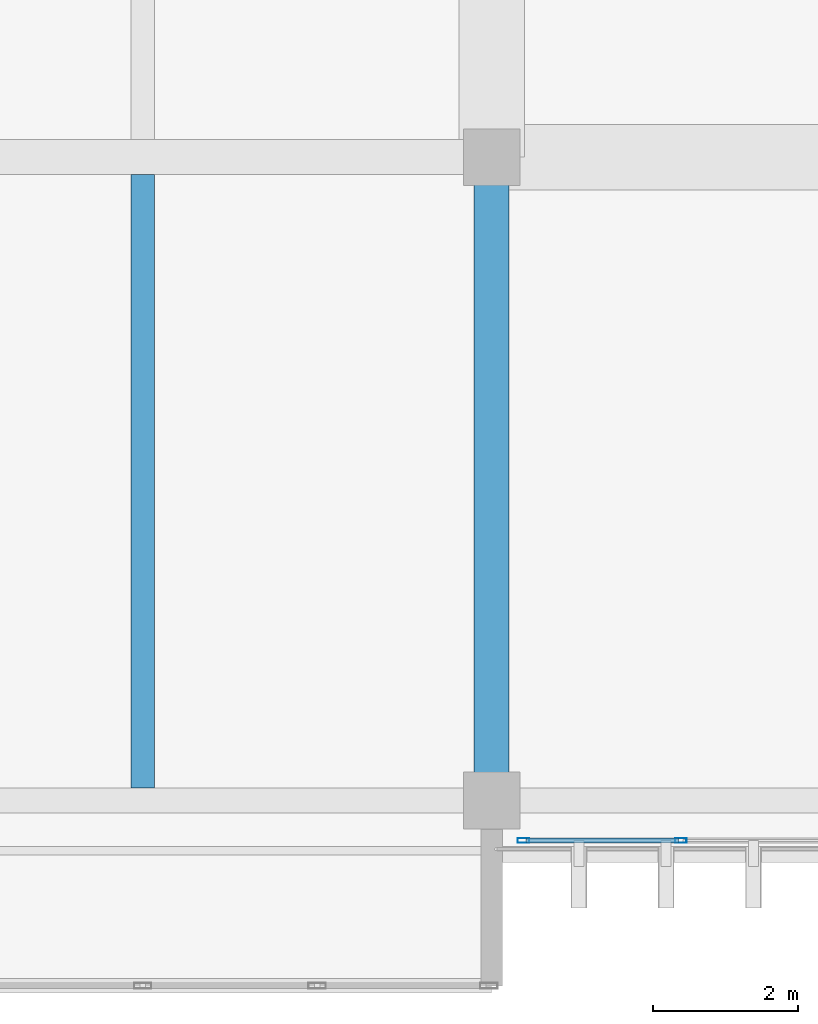
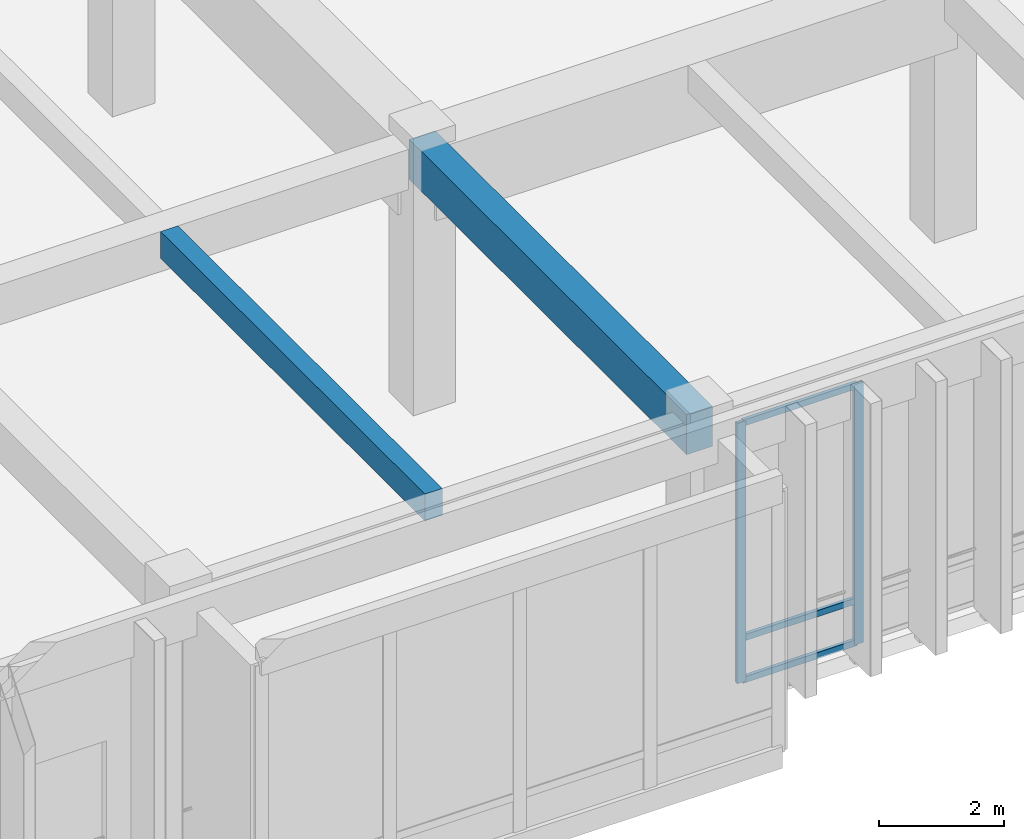
# One storey, part 13 of 134: 5 members, 2 beams, 1 element without a shape of its own.
"""IFC4 building model written with IfcOpenShell, lengths in metres."""

from ifc_helpers import new_model, si_unit, direction, frame, origin, origin_2d, place, context, subcontext, project, spatial, rectangle, hollow_rectangle, extrude, material, layer, layer_set, material_profile, profile_set, type_object, element, aggregate, save


model = new_model("IFC4")

# Units and contexts
model_context = context("Model", 3, precision=1e-05, world=origin(), true_north=direction((0.0, 1.0)))
body_context = subcontext(model_context, "Body", "Model", "MODEL_VIEW")
ifc_project = project(units=[si_unit("LENGTHUNIT", "METRE"), si_unit("AREAUNIT", "SQUARE_METRE"), si_unit("VOLUMEUNIT", "CUBIC_METRE"), si_unit("PLANEANGLEUNIT", "RADIAN"), si_unit("MASSUNIT", "GRAM", prefix="KILO")], contexts=[model_context])

# Site, building, storey
site_placement = place(None, origin())
site = spatial("IfcSite", under=ifc_project, at=site_placement, CompositionType="ELEMENT")
building_placement = place(site_placement, origin())
building = spatial("IfcBuilding", under=site, at=building_placement, Name="Nakhvara Creek Congress Hotel", CompositionType="ELEMENT")
storey_placement = place(building_placement, frame((0.0, 0.0, 6.0)))
storey = spatial("IfcBuildingStorey", under=building, at=storey_placement, Name="L01", CompositionType="ELEMENT", Elevation=6.0)

# Beams
ifc_material_1 = material(Name="Concrete C40/50", Category="concrete")
ifc_material_profile_1 = material_profile(ifc_material_1, rectangle(XDim=0.320068359375, YDim=0.52001953125, at=origin_2d()), Name="RC-BM 320x520", Category="LoadBearing")
ifc_profile_set_1 = profile_set([ifc_material_profile_1], Name="Concrete C40/50")
beam_type_1 = type_object("IfcBeamType", Name="BM-RC-320X520", PredefinedType="JOIST", material=ifc_profile_set_1)
beam_1_placement = place(storey_placement, frame((72.0, 0.925048828125, 4.840087890625), z_axis=(0.0, 1.0, 0.0), x_axis=(-1.0, 0.0, 0.0)))
element("IfcBeam", 1, at=beam_1_placement, inside=storey, type_object=beam_type_1, Name="Secondary Joist BJ2-L01-1362", PredefinedType="JOIST", context=body_context, shape_type="SweptSolid", body=[
    extrude(rectangle(XDim=0.320068359375, YDim=0.52001953125, at=origin_2d()), origin(), (0.0, 0.0, 1.0), 8.43505859375),
])
ifc_material_profile_2 = material_profile(ifc_material_1, rectangle(XDim=0.47998046875, YDim=0.780029296875, at=origin_2d()), Name="RC-BM 480x780", Category="LoadBearing")
ifc_profile_set_2 = profile_set([ifc_material_profile_2], Name="Concrete C40/50")
beam_type_2 = type_object("IfcBeamType", Name="BM-RC-480X780", PredefinedType="BEAM", material=ifc_profile_set_2)
beam_2_placement = place(storey_placement, frame((76.800048828125, 0.75, 4.7099609375), z_axis=(0.0, 1.0, 0.0), x_axis=(-1.0, 0.0, 0.0)))
element("IfcBeam", 2, at=beam_2_placement, inside=storey, type_object=beam_type_2, Name="Beam B13-L01-1145", PredefinedType="BEAM", context=body_context, shape_type="SweptSolid", body=[
    extrude(rectangle(XDim=0.47998046875, YDim=0.780029296875, at=origin_2d()), origin(), (0.0, 0.0, 1.0), 8.85009765625),
])

# Curtain wall, members
ifc_material_2 = material(Name="Bronze-anodised aluminium AW-6063-T6 and double-silver low-E glass", Category="aluminium")
ifc_layer = layer(ifc_material_2, 0.199951171875)
ifc_layer_set = layer_set([ifc_layer], Name="Bronze-anodised aluminium AW-6063-T6 and double-silver low-E glass")
curtain_wall_type = type_object("IfcCurtainWallType", Name="CW-SPA-STICK", PredefinedType="NOTDEFINED", material=ifc_layer_set)
curtain_wall_placement = place(storey_placement, origin())
curtain_wall = element("IfcCurtainWall", 3, at=curtain_wall_placement, inside=storey, type_object=curtain_wall_type, Name="Curtain Wall CW077", PredefinedType="NOTDEFINED")
ifc_material_3 = material(Name="Bronze-anodised aluminium AW-6063-T6", Category="aluminium")
ifc_material_profile_3 = material_profile(ifc_material_3, hollow_rectangle(XDim=0.06494140625, YDim=0.159912109375, WallThickness=0.00390625, at=origin_2d()), Name="ALU-MULL 65x160x4", Category="LoadBearing")
ifc_profile_set_3 = profile_set([ifc_material_profile_3], Name="Bronze-anodised aluminium AW-6063-T6")
member_type_1 = type_object("IfcMemberType", Name="CW-MULL-160", PredefinedType="MULLION", material=ifc_profile_set_3)
member_1_placement = place(storey_placement, frame((79.402587890625, 0.199951171875, 0.0), z_axis=(0.0, 0.0, 1.0), x_axis=(0.0, -1.0, 0.0)))
member_1 = element("IfcMember", 4, at=member_1_placement, type_object=member_type_1, Name="CW077 mullion 4", PredefinedType="MULLION", context=body_context, shape_type="SweptSolid", body=[
    extrude(hollow_rectangle(XDim=0.06494140625, YDim=0.159912109375, WallThickness=0.00390625, at=origin_2d()), origin(), (0.0, 0.0, 1.0), 5.070068359375),
])
member_2_placement = place(storey_placement, frame((77.237548828125, 0.199951171875, 0.0), z_axis=(0.0, 0.0, 1.0), x_axis=(0.0, -1.0, 0.0)))
member_2 = element("IfcMember", 5, at=member_2_placement, type_object=member_type_1, Name="CW077 mullion 5", PredefinedType="MULLION", context=body_context, shape_type="SweptSolid", body=[
    extrude(hollow_rectangle(XDim=0.06494140625, YDim=0.159912109375, WallThickness=0.00390625, at=origin_2d()), origin(), (0.0, 0.0, 1.0), 5.070068359375),
])
ifc_material_profile_4 = material_profile(ifc_material_3, hollow_rectangle(XDim=0.06494140625, YDim=0.1201171875, WallThickness=0.00390625, at=origin_2d()), Name="ALU-TRAN 65x120x4", Category="LoadBearing")
ifc_profile_set_4 = profile_set([ifc_material_profile_4], Name="Bronze-anodised aluminium AW-6063-T6")
member_type_2 = type_object("IfcMemberType", Name="CW-TRAN-120", PredefinedType="USERDEFINED", material=ifc_profile_set_4)
member_3_placement = place(storey_placement, frame((79.3701171875, 0.199951171875, 0.032470703125), z_axis=(-1.0, 0.0, 0.0), x_axis=(0.0, -1.0, 0.0)))
member_3 = element("IfcMember", 6, at=member_3_placement, type_object=member_type_2, Name="CW077 transom 4.1", ObjectType="TRANSOM", PredefinedType="USERDEFINED", context=body_context, shape_type="SweptSolid", body=[
    extrude(hollow_rectangle(XDim=0.06494140625, YDim=0.1201171875, WallThickness=0.00390625, at=origin_2d()), origin(), (0.0, 0.0, 1.0), 2.10009765625),
])
member_4_placement = place(storey_placement, frame((79.3701171875, 0.199951171875, 0.85009765625), z_axis=(-1.0, 0.0, 0.0), x_axis=(0.0, -1.0, 0.0)))
member_4 = element("IfcMember", 7, at=member_4_placement, type_object=member_type_2, Name="CW077 transom 4.2", ObjectType="TRANSOM", PredefinedType="USERDEFINED", context=body_context, shape_type="SweptSolid", body=[
    extrude(hollow_rectangle(XDim=0.06494140625, YDim=0.1201171875, WallThickness=0.00390625, at=origin_2d()), origin(), (0.0, 0.0, 1.0), 2.10009765625),
])
member_5_placement = place(storey_placement, frame((79.3701171875, 0.199951171875, 5.03759765625), z_axis=(-1.0, 0.0, 0.0), x_axis=(0.0, -1.0, 0.0)))
member_5 = element("IfcMember", 8, at=member_5_placement, type_object=member_type_2, Name="CW077 transom 4.3", ObjectType="TRANSOM", PredefinedType="USERDEFINED", context=body_context, shape_type="SweptSolid", body=[
    extrude(hollow_rectangle(XDim=0.06494140625, YDim=0.1201171875, WallThickness=0.00390625, at=origin_2d()), origin(), (0.0, 0.0, 1.0), 2.10009765625),
])
aggregate(curtain_wall, [member_1, member_2, member_3, member_4, member_5])

save(model, "model.ifc")
